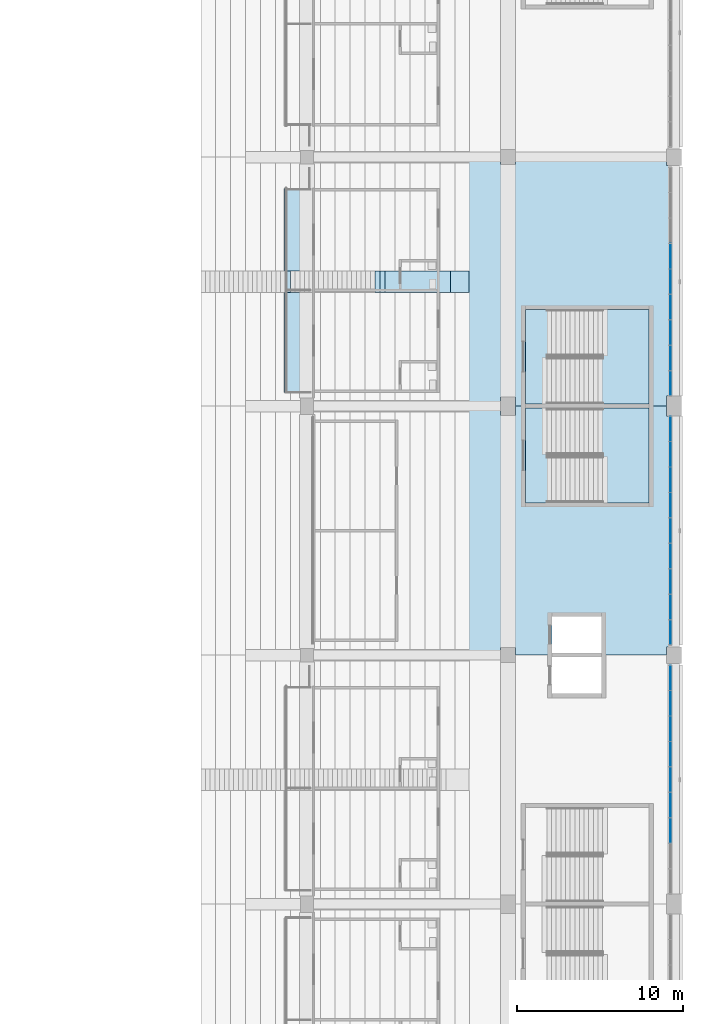
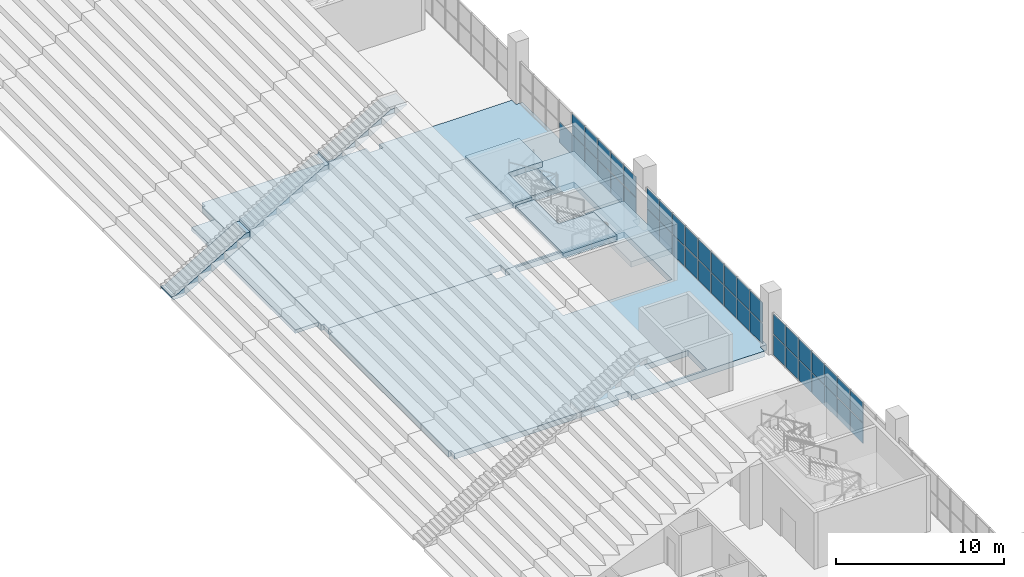
# One storey, part 73 of 249: 43 plates, 10 slabs, 5 elements without a shape of their own.
"""IFC4 building model written with IfcOpenShell, lengths in metres."""

from ifc_helpers import new_model, si_unit, direction, frame, origin, origin_2d, place, context, subcontext, project, spatial, polyline, rectangle, outline, extrude, material, layer, layer_set, type_object, element, aggregate, save


model = new_model("IFC4")

# Units and contexts
model_context = context("Model", 3, precision=1e-05, world=origin(), true_north=direction((0.0, 1.0)))
body_context = subcontext(model_context, "Body", "Model", "MODEL_VIEW")
ifc_project = project(units=[si_unit("LENGTHUNIT", "METRE"), si_unit("AREAUNIT", "SQUARE_METRE"), si_unit("VOLUMEUNIT", "CUBIC_METRE"), si_unit("PLANEANGLEUNIT", "RADIAN"), si_unit("MASSUNIT", "GRAM", prefix="KILO")], contexts=[model_context])

# Site, building, storey
site_placement = place(None, origin())
site = spatial("IfcSite", under=ifc_project, at=site_placement, CompositionType="ELEMENT")
building_placement = place(site_placement, origin())
building = spatial("IfcBuilding", under=site, at=building_placement, Name="Ogive Plaza Stadium", CompositionType="ELEMENT")
storey_placement = place(building_placement, frame((0.0, 0.0, 13.5)))
storey = spatial("IfcBuildingStorey", under=building, at=storey_placement, Name="L03", CompositionType="ELEMENT", Elevation=13.5)

# Slabs
ifc_material_1 = material(Name="Concrete C40/50", Category="concrete")
ifc_layer_1 = layer(ifc_material_1, 0.73486328125)
ifc_layer_set_1 = layer_set([ifc_layer_1], Name="Concrete C40/50")
ifc_layer_2 = layer(ifc_material_1, 0.449951171875)
ifc_layer_set_2 = layer_set([ifc_layer_2], Name="Concrete C40/50")
slab_type_1 = type_object("IfcSlabType", Name="Aisle stair slab 1300", PredefinedType="USERDEFINED", material=ifc_layer_set_2)
slab_1_placement = place(storey_placement, frame((55.5, 15.0, -13.5), z_axis=(0.0, 0.0, 1.0), x_axis=(1.0, 0.0, 0.0)))
element("IfcSlab", 1, at=slab_1_placement, inside=storey, type_object=slab_type_1, material=ifc_layer_set_1, Name="Aisle stair SA03U slab 1", ObjectType="AISLE STAIR SLAB", PredefinedType="USERDEFINED", context=body_context, shape_type="SweptSolid", body=[
    extrude(outline(polyline([(0.0, 14.0), (0.2958984375, 14.0), (5.10009765625, 16.825927734375), (5.39990234375, 16.825927734375), (5.39990234375, 16.300048828125), (5.359375, 16.27734375), (5.209228515625, 16.194091796875), (5.059326171875, 16.110595703125), (4.9091796875, 16.02734375), (4.75927734375, 15.944091796875), (4.609375, 15.860595703125), (4.459228515625, 15.77734375), (4.309326171875, 15.694091796875), (4.1591796875, 15.610595703125), (4.00927734375, 15.52734375), (3.859375, 15.444091796875), (3.709228515625, 15.360595703125), (3.559326171875, 15.27734375), (3.4091796875, 15.194091796875), (3.25927734375, 15.110595703125), (3.109375, 15.02734375), (2.959228515625, 14.944091796875), (2.809326171875, 14.860595703125), (2.6591796875, 14.77734375), (2.50927734375, 14.694091796875), (2.359375, 14.610595703125), (2.209228515625, 14.52734375), (2.059326171875, 14.444091796875), (1.9091796875, 14.360595703125), (1.75927734375, 14.27734375), (1.609375, 14.194091796875), (1.459228515625, 14.110595703125), (1.309326171875, 14.02734375), (1.1591796875, 13.944091796875), (1.00927734375, 13.860595703125), (0.859375, 13.77734375), (0.709228515625, 13.75), (0.559326171875, 13.75), (0.4091796875, 13.75), (0.25927734375, 13.75), (0.109375, 13.75), (0.0, 14.0)])), frame((0.0, 0.64990234375, 0.0), z_axis=(0.0, -1.0, 0.0), x_axis=(1.0, 0.0, 0.0)), (0.0, 0.0, 1.0), 1.300048828125),
])
ifc_layer_3 = layer(ifc_material_1, 0.75927734375)
ifc_layer_set_3 = layer_set([ifc_layer_3], Name="Concrete C40/50")
slab_2_placement = place(storey_placement, frame((60.89990234375, 15.0, -13.5), z_axis=(0.0, 0.0, 1.0), x_axis=(1.0, 0.0, 0.0)))
element("IfcSlab", 2, at=slab_2_placement, inside=storey, type_object=slab_type_1, material=ifc_layer_set_3, Name="Aisle stair SA03U slab 2", ObjectType="AISLE STAIR SLAB", PredefinedType="USERDEFINED", context=body_context, shape_type="SweptSolid", body=[
    extrude(outline(polyline([(0.0, 17.0), (0.2958984375, 17.0), (5.10009765625, 19.825927734375), (5.39990234375, 19.825927734375), (5.39990234375, 19.300048828125), (5.25, 19.216796875), (5.10009765625, 19.13330078125), (4.949951171875, 19.050048828125), (4.800048828125, 18.966796875), (4.64990234375, 18.88330078125), (4.5, 18.800048828125), (4.35009765625, 18.716796875), (4.199951171875, 18.63330078125), (4.050048828125, 18.550048828125), (3.89990234375, 18.466796875), (3.75, 18.38330078125), (3.60009765625, 18.300048828125), (3.449951171875, 18.216796875), (3.300048828125, 18.13330078125), (3.14990234375, 18.050048828125), (3.0, 17.966796875), (2.85009765625, 17.88330078125), (2.699951171875, 17.800048828125), (2.550048828125, 17.716796875), (2.39990234375, 17.63330078125), (2.25, 17.550048828125), (2.10009765625, 17.466796875), (1.949951171875, 17.38330078125), (1.800048828125, 17.300048828125), (1.64990234375, 17.216796875), (1.5, 17.13330078125), (1.35009765625, 17.050048828125), (1.199951171875, 16.966796875), (1.050048828125, 16.88330078125), (0.89990234375, 16.800048828125), (0.75, 16.716796875), (0.60009765625, 16.63330078125), (0.449951171875, 16.550048828125), (0.300048828125, 16.466796875), (0.14990234375, 16.38330078125), (0.0, 16.300048828125), (0.0, 17.0)])), frame((0.0, 0.64990234375, 0.0), z_axis=(0.0, -1.0, 0.0), x_axis=(1.0, 0.0, 0.0)), (0.0, 0.0, 1.0), 1.300048828125),
])
ifc_layer_4 = layer(ifc_material_1, 1.08056640625)
ifc_layer_set_4 = layer_set([ifc_layer_4], Name="Concrete C40/50")
slab_3_placement = place(storey_placement, frame((66.300048828125, 15.0, -13.5), z_axis=(0.0, 0.0, 1.0), x_axis=(1.0, 0.0, 0.0)))
element("IfcSlab", 3, at=slab_3_placement, inside=storey, type_object=slab_type_1, material=ifc_layer_set_4, Name="Aisle stair SA03U slab 3", ObjectType="AISLE STAIR SLAB", PredefinedType="USERDEFINED", context=body_context, shape_type="SweptSolid", body=[
    extrude(outline(polyline([(0.0, 20.0), (0.2958984375, 20.0), (4.25, 22.325927734375), (5.35009765625, 22.325927734375), (5.35009765625, 22.272216796875), (5.25, 22.216796875), (5.10009765625, 22.13330078125), (4.949951171875, 22.050048828125), (4.800048828125, 21.966796875), (4.64990234375, 21.88330078125), (4.5, 21.800048828125), (4.35009765625, 21.716796875), (4.199951171875, 21.63330078125), (4.050048828125, 21.550048828125), (3.89990234375, 21.466796875), (3.75, 21.38330078125), (3.60009765625, 21.300048828125), (3.449951171875, 21.216796875), (3.300048828125, 21.13330078125), (3.14990234375, 21.050048828125), (3.0, 20.966796875), (2.85009765625, 20.88330078125), (2.699951171875, 20.800048828125), (2.550048828125, 20.716796875), (2.39990234375, 20.63330078125), (2.25, 20.550048828125), (2.10009765625, 20.466796875), (1.949951171875, 20.38330078125), (1.800048828125, 20.300048828125), (1.64990234375, 20.216796875), (1.5, 20.13330078125), (1.35009765625, 20.050048828125), (1.199951171875, 19.966796875), (1.050048828125, 19.88330078125), (0.89990234375, 19.800048828125), (0.75, 19.716796875), (0.60009765625, 19.63330078125), (0.449951171875, 19.550048828125), (0.300048828125, 19.466796875), (0.14990234375, 19.38330078125), (0.0, 19.300048828125), (0.0, 20.0)])), frame((0.0, 0.64990234375, 0.0), z_axis=(0.0, -1.0, 0.0), x_axis=(1.0, 0.0, 0.0)), (0.0, 0.0, 1.0), 1.300048828125),
])
ifc_material_2 = material(Name="Concrete C40/50", Category="concrete")
ifc_layer_5 = layer(ifc_material_2, 0.25)
ifc_layer_set_5 = layer_set([ifc_layer_5], Name="Concrete C40/50")
slab_type_2 = type_object("IfcSlabType", Name="Balcony slab 250", PredefinedType="FLOOR", material=ifc_layer_set_5)
slab_4_placement = place(storey_placement, frame((0.0, 0.0, -0.25)))
element("IfcSlab", 4, at=slab_4_placement, inside=storey, type_object=slab_type_2, Name="Suite terrace slab B03", PredefinedType="FLOOR", context=body_context, shape_type="SweptSolid", body=[
    extrude(outline(polyline([(60.5, 8.324951171875), (62.10009765625, 8.324951171875), (62.10009765625, 20.625), (60.5, 20.625), (60.5, 8.324951171875)])), origin(), (0.0, 0.0, 1.0), 0.25),
])

# Curtain wall, plates
ifc_material_3 = material(Name="Bronze-anodised aluminium with laminated glass", Category="aluminium")
curtain_wall_type = type_object("IfcCurtainWallType", Name="Lancet curtain wall", PredefinedType="NOTDEFINED", material=ifc_material_3)
curtain_wall_1_placement = place(storey_placement, origin())
curtain_wall_1 = element("IfcCurtainWall", 5, at=curtain_wall_1_placement, inside=storey, type_object=curtain_wall_type, Name="CURTAIN WALL B03 L03", PredefinedType="NOTDEFINED")
ifc_material_4 = material(Name="Laminated glass", Category="glass")
ifc_layer_6 = layer(ifc_material_4, 0.028076171875)
ifc_layer_set_6 = layer_set([ifc_layer_6], Name="Laminated glass panel 28")
plate_type = type_object("IfcPlateType", Name="Laminated glass panel 28", PredefinedType="CURTAIN_PANEL", material=ifc_layer_set_6)
plate_1_placement = place(storey_placement, frame((83.800048828125, 16.533447265625, 0.0498046875), z_axis=(0.0, 0.0, 1.0), x_axis=(0.0, -1.0, 0.0)))
plate_1 = element("IfcPlate", 6, at=plate_1_placement, type_object=plate_type, Name="CW-B03-L03 panel 4.1", PredefinedType="CURTAIN_PANEL", context=body_context, shape_type="SweptSolid", body=[
    extrude(rectangle(XDim=1.4833984375, YDim=0.028076171875, at=origin_2d()), origin(), (0.0, 0.0, 1.0), 1.469970703125),
])
plate_2_placement = place(storey_placement, frame((83.800048828125, 15.0, 0.0498046875), z_axis=(0.0, 0.0, 1.0), x_axis=(0.0, -1.0, 0.0)))
plate_2 = element("IfcPlate", 7, at=plate_2_placement, type_object=plate_type, Name="CW-B03-L03 panel 5.1", PredefinedType="CURTAIN_PANEL", context=body_context, shape_type="SweptSolid", body=[
    extrude(rectangle(XDim=1.4833984375, YDim=0.028076171875, at=origin_2d()), origin(), (0.0, 0.0, 1.0), 1.469970703125),
])
plate_3_placement = place(storey_placement, frame((83.800048828125, 15.0, 1.56982421875), z_axis=(0.0, 0.0, 1.0), x_axis=(0.0, -1.0, 0.0)))
plate_3 = element("IfcPlate", 8, at=plate_3_placement, type_object=plate_type, Name="CW-B03-L03 panel 5.2", PredefinedType="CURTAIN_PANEL", context=body_context, shape_type="SweptSolid", body=[
    extrude(rectangle(XDim=1.4833984375, YDim=0.028076171875, at=origin_2d()), origin(), (0.0, 0.0, 1.0), 1.469970703125),
])
plate_4_placement = place(storey_placement, frame((83.800048828125, 13.466552734375, 0.0498046875), z_axis=(0.0, 0.0, 1.0), x_axis=(0.0, -1.0, 0.0)))
plate_4 = element("IfcPlate", 9, at=plate_4_placement, type_object=plate_type, Name="CW-B03-L03 panel 6.1", PredefinedType="CURTAIN_PANEL", context=body_context, shape_type="SweptSolid", body=[
    extrude(rectangle(XDim=1.4833984375, YDim=0.028076171875, at=origin_2d()), origin(), (0.0, 0.0, 1.0), 1.469970703125),
])
plate_5_placement = place(storey_placement, frame((83.800048828125, 13.466552734375, 1.56982421875), z_axis=(0.0, 0.0, 1.0), x_axis=(0.0, -1.0, 0.0)))
plate_5 = element("IfcPlate", 10, at=plate_5_placement, type_object=plate_type, Name="CW-B03-L03 panel 6.2", PredefinedType="CURTAIN_PANEL", context=body_context, shape_type="SweptSolid", body=[
    extrude(rectangle(XDim=1.4833984375, YDim=0.028076171875, at=origin_2d()), origin(), (0.0, 0.0, 1.0), 1.469970703125),
])
plate_6_placement = place(storey_placement, frame((83.800048828125, 11.933349609375, 0.0498046875), z_axis=(0.0, 0.0, 1.0), x_axis=(0.0, -1.0, 0.0)))
plate_6 = element("IfcPlate", 11, at=plate_6_placement, type_object=plate_type, Name="CW-B03-L03 panel 7.1", PredefinedType="CURTAIN_PANEL", context=body_context, shape_type="SweptSolid", body=[
    extrude(rectangle(XDim=1.4833984375, YDim=0.028076171875, at=origin_2d()), origin(), (0.0, 0.0, 1.0), 1.469970703125),
])
plate_7_placement = place(storey_placement, frame((83.800048828125, 11.933349609375, 1.56982421875), z_axis=(0.0, 0.0, 1.0), x_axis=(0.0, -1.0, 0.0)))
plate_7 = element("IfcPlate", 12, at=plate_7_placement, type_object=plate_type, Name="CW-B03-L03 panel 7.2", PredefinedType="CURTAIN_PANEL", context=body_context, shape_type="SweptSolid", body=[
    extrude(rectangle(XDim=1.4833984375, YDim=0.028076171875, at=origin_2d()), origin(), (0.0, 0.0, 1.0), 1.469970703125),
])
plate_8_placement = place(storey_placement, frame((83.800048828125, 10.39990234375, 0.0498046875), z_axis=(0.0, 0.0, 1.0), x_axis=(0.0, -1.0, 0.0)))
plate_8 = element("IfcPlate", 13, at=plate_8_placement, type_object=plate_type, Name="CW-B03-L03 panel 8.1", PredefinedType="CURTAIN_PANEL", context=body_context, shape_type="SweptSolid", body=[
    extrude(rectangle(XDim=1.4833984375, YDim=0.028076171875, at=origin_2d()), origin(), (0.0, 0.0, 1.0), 1.469970703125),
])
plate_9_placement = place(storey_placement, frame((83.800048828125, 10.39990234375, 1.56982421875), z_axis=(0.0, 0.0, 1.0), x_axis=(0.0, -1.0, 0.0)))
plate_9 = element("IfcPlate", 14, at=plate_9_placement, type_object=plate_type, Name="CW-B03-L03 panel 8.2", PredefinedType="CURTAIN_PANEL", context=body_context, shape_type="SweptSolid", body=[
    extrude(rectangle(XDim=1.4833984375, YDim=0.028076171875, at=origin_2d()), origin(), (0.0, 0.0, 1.0), 1.469970703125),
])
plate_10_placement = place(storey_placement, frame((83.800048828125, 8.879150390625, 0.0498046875), z_axis=(0.0, 0.0, 1.0), x_axis=(0.0, -1.0, 0.0)))
plate_10 = element("IfcPlate", 15, at=plate_10_placement, type_object=plate_type, Name="CW-B03-L03 panel 9.1", PredefinedType="CURTAIN_PANEL", context=body_context, shape_type="SweptSolid", body=[
    extrude(rectangle(XDim=1.458251953125, YDim=0.028076171875, at=origin_2d()), origin(), (0.0, 0.0, 1.0), 1.469970703125),
])
plate_11_placement = place(storey_placement, frame((83.800048828125, 8.879150390625, 1.56982421875), z_axis=(0.0, 0.0, 1.0), x_axis=(0.0, -1.0, 0.0)))
plate_11 = element("IfcPlate", 16, at=plate_11_placement, type_object=plate_type, Name="CW-B03-L03 panel 9.2", PredefinedType="CURTAIN_PANEL", context=body_context, shape_type="SweptSolid", body=[
    extrude(rectangle(XDim=1.458251953125, YDim=0.028076171875, at=origin_2d()), origin(), (0.0, 0.0, 1.0), 1.469970703125),
])
aggregate(curtain_wall_1, [plate_1, plate_2, plate_3, plate_4, plate_5, plate_6, plate_7, plate_8, plate_9, plate_10, plate_11])

curtain_wall_2_placement = place(storey_placement, origin())
curtain_wall_2 = element("IfcCurtainWall", 17, at=curtain_wall_2_placement, inside=storey, type_object=curtain_wall_type, Name="CURTAIN WALL B04 L03", PredefinedType="NOTDEFINED")
plate_12_placement = place(storey_placement, frame((83.800048828125, 6.120849609375, 0.0498046875), z_axis=(0.0, 0.0, 1.0), x_axis=(0.0, -1.0, 0.0)))
plate_12 = element("IfcPlate", 18, at=plate_12_placement, type_object=plate_type, Name="CW-B04-L03 panel 1.1", PredefinedType="CURTAIN_PANEL", context=body_context, shape_type="SweptSolid", body=[
    extrude(rectangle(XDim=1.458251953125, YDim=0.028076171875, at=origin_2d()), origin(), (0.0, 0.0, 1.0), 1.469970703125),
])
plate_13_placement = place(storey_placement, frame((83.800048828125, 6.120849609375, 1.56982421875), z_axis=(0.0, 0.0, 1.0), x_axis=(0.0, -1.0, 0.0)))
plate_13 = element("IfcPlate", 19, at=plate_13_placement, type_object=plate_type, Name="CW-B04-L03 panel 1.2", PredefinedType="CURTAIN_PANEL", context=body_context, shape_type="SweptSolid", body=[
    extrude(rectangle(XDim=1.458251953125, YDim=0.028076171875, at=origin_2d()), origin(), (0.0, 0.0, 1.0), 1.469970703125),
])
plate_14_placement = place(storey_placement, frame((83.800048828125, 4.60009765625, 0.0498046875), z_axis=(0.0, 0.0, 1.0), x_axis=(0.0, -1.0, 0.0)))
plate_14 = element("IfcPlate", 20, at=plate_14_placement, type_object=plate_type, Name="CW-B04-L03 panel 2.1", PredefinedType="CURTAIN_PANEL", context=body_context, shape_type="SweptSolid", body=[
    extrude(rectangle(XDim=1.4833984375, YDim=0.028076171875, at=origin_2d()), origin(), (0.0, 0.0, 1.0), 1.469970703125),
])
plate_15_placement = place(storey_placement, frame((83.800048828125, 4.60009765625, 1.56982421875), z_axis=(0.0, 0.0, 1.0), x_axis=(0.0, -1.0, 0.0)))
plate_15 = element("IfcPlate", 21, at=plate_15_placement, type_object=plate_type, Name="CW-B04-L03 panel 2.2", PredefinedType="CURTAIN_PANEL", context=body_context, shape_type="SweptSolid", body=[
    extrude(rectangle(XDim=1.4833984375, YDim=0.028076171875, at=origin_2d()), origin(), (0.0, 0.0, 1.0), 1.469970703125),
])
plate_16_placement = place(storey_placement, frame((83.800048828125, 3.066650390625, 0.0498046875), z_axis=(0.0, 0.0, 1.0), x_axis=(0.0, -1.0, 0.0)))
plate_16 = element("IfcPlate", 22, at=plate_16_placement, type_object=plate_type, Name="CW-B04-L03 panel 3.1", PredefinedType="CURTAIN_PANEL", context=body_context, shape_type="SweptSolid", body=[
    extrude(rectangle(XDim=1.4833984375, YDim=0.028076171875, at=origin_2d()), origin(), (0.0, 0.0, 1.0), 1.469970703125),
])
plate_17_placement = place(storey_placement, frame((83.800048828125, 3.066650390625, 1.56982421875), z_axis=(0.0, 0.0, 1.0), x_axis=(0.0, -1.0, 0.0)))
plate_17 = element("IfcPlate", 23, at=plate_17_placement, type_object=plate_type, Name="CW-B04-L03 panel 3.2", PredefinedType="CURTAIN_PANEL", context=body_context, shape_type="SweptSolid", body=[
    extrude(rectangle(XDim=1.4833984375, YDim=0.028076171875, at=origin_2d()), origin(), (0.0, 0.0, 1.0), 1.469970703125),
])
plate_18_placement = place(storey_placement, frame((83.800048828125, 1.533447265625, 0.0498046875), z_axis=(0.0, 0.0, 1.0), x_axis=(0.0, -1.0, 0.0)))
plate_18 = element("IfcPlate", 24, at=plate_18_placement, type_object=plate_type, Name="CW-B04-L03 panel 4.1", PredefinedType="CURTAIN_PANEL", context=body_context, shape_type="SweptSolid", body=[
    extrude(rectangle(XDim=1.4833984375, YDim=0.028076171875, at=origin_2d()), origin(), (0.0, 0.0, 1.0), 1.469970703125),
])
plate_19_placement = place(storey_placement, frame((83.800048828125, 1.533447265625, 1.56982421875), z_axis=(0.0, 0.0, 1.0), x_axis=(0.0, -1.0, 0.0)))
plate_19 = element("IfcPlate", 25, at=plate_19_placement, type_object=plate_type, Name="CW-B04-L03 panel 4.2", PredefinedType="CURTAIN_PANEL", context=body_context, shape_type="SweptSolid", body=[
    extrude(rectangle(XDim=1.4833984375, YDim=0.028076171875, at=origin_2d()), origin(), (0.0, 0.0, 1.0), 1.469970703125),
])
plate_20_placement = place(storey_placement, frame((83.800048828125, 0.0, 0.0498046875), z_axis=(0.0, 0.0, 1.0), x_axis=(0.0, -1.0, 0.0)))
plate_20 = element("IfcPlate", 26, at=plate_20_placement, type_object=plate_type, Name="CW-B04-L03 panel 5.1", PredefinedType="CURTAIN_PANEL", context=body_context, shape_type="SweptSolid", body=[
    extrude(rectangle(XDim=1.4833984375, YDim=0.028076171875, at=origin_2d()), origin(), (0.0, 0.0, 1.0), 1.469970703125),
])
plate_21_placement = place(storey_placement, frame((83.800048828125, 0.0, 1.56982421875), z_axis=(0.0, 0.0, 1.0), x_axis=(0.0, -1.0, 0.0)))
plate_21 = element("IfcPlate", 27, at=plate_21_placement, type_object=plate_type, Name="CW-B04-L03 panel 5.2", PredefinedType="CURTAIN_PANEL", context=body_context, shape_type="SweptSolid", body=[
    extrude(rectangle(XDim=1.4833984375, YDim=0.028076171875, at=origin_2d()), origin(), (0.0, 0.0, 1.0), 1.469970703125),
])
plate_22_placement = place(storey_placement, frame((83.800048828125, -1.533447265625, 0.0498046875), z_axis=(0.0, 0.0, 1.0), x_axis=(0.0, -1.0, 0.0)))
plate_22 = element("IfcPlate", 28, at=plate_22_placement, type_object=plate_type, Name="CW-B04-L03 panel 6.1", PredefinedType="CURTAIN_PANEL", context=body_context, shape_type="SweptSolid", body=[
    extrude(rectangle(XDim=1.4833984375, YDim=0.028076171875, at=origin_2d()), origin(), (0.0, 0.0, 1.0), 1.469970703125),
])
plate_23_placement = place(storey_placement, frame((83.800048828125, -1.533447265625, 1.56982421875), z_axis=(0.0, 0.0, 1.0), x_axis=(0.0, -1.0, 0.0)))
plate_23 = element("IfcPlate", 29, at=plate_23_placement, type_object=plate_type, Name="CW-B04-L03 panel 6.2", PredefinedType="CURTAIN_PANEL", context=body_context, shape_type="SweptSolid", body=[
    extrude(rectangle(XDim=1.4833984375, YDim=0.028076171875, at=origin_2d()), origin(), (0.0, 0.0, 1.0), 1.469970703125),
])
plate_24_placement = place(storey_placement, frame((83.800048828125, -3.066650390625, 0.0498046875), z_axis=(0.0, 0.0, 1.0), x_axis=(0.0, -1.0, 0.0)))
plate_24 = element("IfcPlate", 30, at=plate_24_placement, type_object=plate_type, Name="CW-B04-L03 panel 7.1", PredefinedType="CURTAIN_PANEL", context=body_context, shape_type="SweptSolid", body=[
    extrude(rectangle(XDim=1.4833984375, YDim=0.028076171875, at=origin_2d()), origin(), (0.0, 0.0, 1.0), 1.469970703125),
])
plate_25_placement = place(storey_placement, frame((83.800048828125, -3.066650390625, 1.56982421875), z_axis=(0.0, 0.0, 1.0), x_axis=(0.0, -1.0, 0.0)))
plate_25 = element("IfcPlate", 31, at=plate_25_placement, type_object=plate_type, Name="CW-B04-L03 panel 7.2", PredefinedType="CURTAIN_PANEL", context=body_context, shape_type="SweptSolid", body=[
    extrude(rectangle(XDim=1.4833984375, YDim=0.028076171875, at=origin_2d()), origin(), (0.0, 0.0, 1.0), 1.469970703125),
])
plate_26_placement = place(storey_placement, frame((83.800048828125, -4.60009765625, 0.0498046875), z_axis=(0.0, 0.0, 1.0), x_axis=(0.0, -1.0, 0.0)))
plate_26 = element("IfcPlate", 32, at=plate_26_placement, type_object=plate_type, Name="CW-B04-L03 panel 8.1", PredefinedType="CURTAIN_PANEL", context=body_context, shape_type="SweptSolid", body=[
    extrude(rectangle(XDim=1.4833984375, YDim=0.028076171875, at=origin_2d()), origin(), (0.0, 0.0, 1.0), 1.469970703125),
])
plate_27_placement = place(storey_placement, frame((83.800048828125, -4.60009765625, 1.56982421875), z_axis=(0.0, 0.0, 1.0), x_axis=(0.0, -1.0, 0.0)))
plate_27 = element("IfcPlate", 33, at=plate_27_placement, type_object=plate_type, Name="CW-B04-L03 panel 8.2", PredefinedType="CURTAIN_PANEL", context=body_context, shape_type="SweptSolid", body=[
    extrude(rectangle(XDim=1.4833984375, YDim=0.028076171875, at=origin_2d()), origin(), (0.0, 0.0, 1.0), 1.469970703125),
])
plate_28_placement = place(storey_placement, frame((83.800048828125, -6.120849609375, 0.0498046875), z_axis=(0.0, 0.0, 1.0), x_axis=(0.0, -1.0, 0.0)))
plate_28 = element("IfcPlate", 34, at=plate_28_placement, type_object=plate_type, Name="CW-B04-L03 panel 9.1", PredefinedType="CURTAIN_PANEL", context=body_context, shape_type="SweptSolid", body=[
    extrude(rectangle(XDim=1.458251953125, YDim=0.028076171875, at=origin_2d()), origin(), (0.0, 0.0, 1.0), 1.469970703125),
])
plate_29_placement = place(storey_placement, frame((83.800048828125, -6.120849609375, 1.56982421875), z_axis=(0.0, 0.0, 1.0), x_axis=(0.0, -1.0, 0.0)))
plate_29 = element("IfcPlate", 35, at=plate_29_placement, type_object=plate_type, Name="CW-B04-L03 panel 9.2", PredefinedType="CURTAIN_PANEL", context=body_context, shape_type="SweptSolid", body=[
    extrude(rectangle(XDim=1.458251953125, YDim=0.028076171875, at=origin_2d()), origin(), (0.0, 0.0, 1.0), 1.469970703125),
])
aggregate(curtain_wall_2, [plate_12, plate_13, plate_14, plate_15, plate_16, plate_17, plate_18, plate_19, plate_20, plate_21, plate_22, plate_23, plate_24, plate_25, plate_26, plate_27, plate_28, plate_29])

curtain_wall_3_placement = place(storey_placement, origin())
curtain_wall_3 = element("IfcCurtainWall", 36, at=curtain_wall_3_placement, inside=storey, type_object=curtain_wall_type, Name="CURTAIN WALL B05 L03", PredefinedType="NOTDEFINED")
plate_30_placement = place(storey_placement, frame((83.800048828125, -8.879150390625, 0.0498046875), z_axis=(0.0, 0.0, 1.0), x_axis=(0.0, -1.0, 0.0)))
plate_30 = element("IfcPlate", 37, at=plate_30_placement, type_object=plate_type, Name="CW-B05-L03 panel 1.1", PredefinedType="CURTAIN_PANEL", context=body_context, shape_type="SweptSolid", body=[
    extrude(rectangle(XDim=1.458251953125, YDim=0.028076171875, at=origin_2d()), origin(), (0.0, 0.0, 1.0), 1.469970703125),
])
plate_31_placement = place(storey_placement, frame((83.800048828125, -8.879150390625, 1.56982421875), z_axis=(0.0, 0.0, 1.0), x_axis=(0.0, -1.0, 0.0)))
plate_31 = element("IfcPlate", 38, at=plate_31_placement, type_object=plate_type, Name="CW-B05-L03 panel 1.2", PredefinedType="CURTAIN_PANEL", context=body_context, shape_type="SweptSolid", body=[
    extrude(rectangle(XDim=1.458251953125, YDim=0.028076171875, at=origin_2d()), origin(), (0.0, 0.0, 1.0), 1.469970703125),
])
plate_32_placement = place(storey_placement, frame((83.800048828125, -10.39990234375, 0.0498046875), z_axis=(0.0, 0.0, 1.0), x_axis=(0.0, -1.0, 0.0)))
plate_32 = element("IfcPlate", 39, at=plate_32_placement, type_object=plate_type, Name="CW-B05-L03 panel 2.1", PredefinedType="CURTAIN_PANEL", context=body_context, shape_type="SweptSolid", body=[
    extrude(rectangle(XDim=1.4833984375, YDim=0.028076171875, at=origin_2d()), origin(), (0.0, 0.0, 1.0), 1.469970703125),
])
plate_33_placement = place(storey_placement, frame((83.800048828125, -10.39990234375, 1.56982421875), z_axis=(0.0, 0.0, 1.0), x_axis=(0.0, -1.0, 0.0)))
plate_33 = element("IfcPlate", 40, at=plate_33_placement, type_object=plate_type, Name="CW-B05-L03 panel 2.2", PredefinedType="CURTAIN_PANEL", context=body_context, shape_type="SweptSolid", body=[
    extrude(rectangle(XDim=1.4833984375, YDim=0.028076171875, at=origin_2d()), origin(), (0.0, 0.0, 1.0), 1.469970703125),
])
plate_34_placement = place(storey_placement, frame((83.800048828125, -11.933349609375, 0.0498046875), z_axis=(0.0, 0.0, 1.0), x_axis=(0.0, -1.0, 0.0)))
plate_34 = element("IfcPlate", 41, at=plate_34_placement, type_object=plate_type, Name="CW-B05-L03 panel 3.1", PredefinedType="CURTAIN_PANEL", context=body_context, shape_type="SweptSolid", body=[
    extrude(rectangle(XDim=1.4833984375, YDim=0.028076171875, at=origin_2d()), origin(), (0.0, 0.0, 1.0), 1.469970703125),
])
plate_35_placement = place(storey_placement, frame((83.800048828125, -11.933349609375, 1.56982421875), z_axis=(0.0, 0.0, 1.0), x_axis=(0.0, -1.0, 0.0)))
plate_35 = element("IfcPlate", 42, at=plate_35_placement, type_object=plate_type, Name="CW-B05-L03 panel 3.2", PredefinedType="CURTAIN_PANEL", context=body_context, shape_type="SweptSolid", body=[
    extrude(rectangle(XDim=1.4833984375, YDim=0.028076171875, at=origin_2d()), origin(), (0.0, 0.0, 1.0), 1.469970703125),
])
plate_36_placement = place(storey_placement, frame((83.800048828125, -13.466552734375, 0.0498046875), z_axis=(0.0, 0.0, 1.0), x_axis=(0.0, -1.0, 0.0)))
plate_36 = element("IfcPlate", 43, at=plate_36_placement, type_object=plate_type, Name="CW-B05-L03 panel 4.1", PredefinedType="CURTAIN_PANEL", context=body_context, shape_type="SweptSolid", body=[
    extrude(rectangle(XDim=1.4833984375, YDim=0.028076171875, at=origin_2d()), origin(), (0.0, 0.0, 1.0), 1.469970703125),
])
plate_37_placement = place(storey_placement, frame((83.800048828125, -13.466552734375, 1.56982421875), z_axis=(0.0, 0.0, 1.0), x_axis=(0.0, -1.0, 0.0)))
plate_37 = element("IfcPlate", 44, at=plate_37_placement, type_object=plate_type, Name="CW-B05-L03 panel 4.2", PredefinedType="CURTAIN_PANEL", context=body_context, shape_type="SweptSolid", body=[
    extrude(rectangle(XDim=1.4833984375, YDim=0.028076171875, at=origin_2d()), origin(), (0.0, 0.0, 1.0), 1.469970703125),
])
plate_38_placement = place(storey_placement, frame((83.800048828125, -15.0, 0.0498046875), z_axis=(0.0, 0.0, 1.0), x_axis=(0.0, -1.0, 0.0)))
plate_38 = element("IfcPlate", 45, at=plate_38_placement, type_object=plate_type, Name="CW-B05-L03 panel 5.1", PredefinedType="CURTAIN_PANEL", context=body_context, shape_type="SweptSolid", body=[
    extrude(rectangle(XDim=1.4833984375, YDim=0.028076171875, at=origin_2d()), origin(), (0.0, 0.0, 1.0), 1.469970703125),
])
plate_39_placement = place(storey_placement, frame((83.800048828125, -15.0, 1.56982421875), z_axis=(0.0, 0.0, 1.0), x_axis=(0.0, -1.0, 0.0)))
plate_39 = element("IfcPlate", 46, at=plate_39_placement, type_object=plate_type, Name="CW-B05-L03 panel 5.2", PredefinedType="CURTAIN_PANEL", context=body_context, shape_type="SweptSolid", body=[
    extrude(rectangle(XDim=1.4833984375, YDim=0.028076171875, at=origin_2d()), origin(), (0.0, 0.0, 1.0), 1.469970703125),
])
plate_40_placement = place(storey_placement, frame((83.800048828125, -16.533447265625, 0.0498046875), z_axis=(0.0, 0.0, 1.0), x_axis=(0.0, -1.0, 0.0)))
plate_40 = element("IfcPlate", 47, at=plate_40_placement, type_object=plate_type, Name="CW-B05-L03 panel 6.1", PredefinedType="CURTAIN_PANEL", context=body_context, shape_type="SweptSolid", body=[
    extrude(rectangle(XDim=1.4833984375, YDim=0.028076171875, at=origin_2d()), origin(), (0.0, 0.0, 1.0), 1.469970703125),
])
plate_41_placement = place(storey_placement, frame((83.800048828125, -16.533447265625, 1.56982421875), z_axis=(0.0, 0.0, 1.0), x_axis=(0.0, -1.0, 0.0)))
plate_41 = element("IfcPlate", 48, at=plate_41_placement, type_object=plate_type, Name="CW-B05-L03 panel 6.2", PredefinedType="CURTAIN_PANEL", context=body_context, shape_type="SweptSolid", body=[
    extrude(rectangle(XDim=1.4833984375, YDim=0.028076171875, at=origin_2d()), origin(), (0.0, 0.0, 1.0), 1.469970703125),
])
plate_42_placement = place(storey_placement, frame((83.800048828125, -18.066650390625, 0.0498046875), z_axis=(0.0, 0.0, 1.0), x_axis=(0.0, -1.0, 0.0)))
plate_42 = element("IfcPlate", 49, at=plate_42_placement, type_object=plate_type, Name="CW-B05-L03 panel 7.1", PredefinedType="CURTAIN_PANEL", context=body_context, shape_type="SweptSolid", body=[
    extrude(rectangle(XDim=1.4833984375, YDim=0.028076171875, at=origin_2d()), origin(), (0.0, 0.0, 1.0), 1.469970703125),
])
plate_43_placement = place(storey_placement, frame((83.800048828125, -18.066650390625, 1.56982421875), z_axis=(0.0, 0.0, 1.0), x_axis=(0.0, -1.0, 0.0)))
plate_43 = element("IfcPlate", 50, at=plate_43_placement, type_object=plate_type, Name="CW-B05-L03 panel 7.2", PredefinedType="CURTAIN_PANEL", context=body_context, shape_type="SweptSolid", body=[
    extrude(rectangle(XDim=1.4833984375, YDim=0.028076171875, at=origin_2d()), origin(), (0.0, 0.0, 1.0), 1.469970703125),
])
aggregate(curtain_wall_3, [plate_30, plate_31, plate_32, plate_33, plate_34, plate_35, plate_36, plate_37, plate_38, plate_39, plate_40, plate_41, plate_42, plate_43])

# Slabs
ifc_material_5 = material(Name="Concrete C40/50", Category="concrete")
ifc_layer_7 = layer(ifc_material_5, 0.409912109375)
ifc_layer_set_7 = layer_set([ifc_layer_7], Name="Concrete C40/50")
slab_type_3 = type_object("IfcSlabType", Name="RC floor slab 410", PredefinedType="FLOOR", material=ifc_layer_set_7)
slab_5_placement = place(storey_placement, frame((0.0, 0.0, -0.409912109375)))
element("IfcSlab", 51, at=slab_5_placement, inside=storey, type_object=slab_type_3, Name="Floor slab L03 B03", PredefinedType="FLOOR", context=body_context, shape_type="SweptSolid", body=[
    extrude(outline(polyline([(73.550048828125, 7.5), (73.550048828125, 8.050048828125), (74.449951171875, 8.050048828125), (74.449951171875, 7.5), (83.550048828125, 7.5), (83.550048828125, 8.10009765625), (84.0, 8.10009765625), (84.0, 22.0), (83.550048828125, 22.0), (83.550048828125, 22.5), (74.449951171875, 22.5), (74.449951171875, 22.050048828125), (73.550048828125, 22.050048828125), (73.550048828125, 22.5), (62.300048828125, 22.5), (62.300048828125, 22.10009765625), (62.10009765625, 22.10009765625), (62.10009765625, 8.0), (62.300048828125, 8.0), (62.300048828125, 7.5), (73.550048828125, 7.5)]), holes=[polyline([(75.050048828125, 13.324951171875), (75.050048828125, 7.625), (82.510009765625, 7.625), (82.510009765625, 13.324951171875), (75.050048828125, 13.324951171875)])]), origin(), (0.0, 0.0, 1.0), 0.409912109375),
])
slab_6_placement = place(storey_placement, frame((0.0, 0.0, -0.409912109375)))
element("IfcSlab", 52, at=slab_6_placement, inside=storey, type_object=slab_type_3, Name="Floor slab L03 B04", PredefinedType="FLOOR", context=body_context, shape_type="SweptSolid", body=[
    extrude(outline(polyline([(73.550048828125, -7.5), (73.550048828125, -7.050048828125), (74.449951171875, -7.050048828125), (74.449951171875, -7.5), (83.550048828125, -7.5), (83.550048828125, -7.0), (84.0, -7.0), (84.0, 6.89990234375), (83.550048828125, 6.89990234375), (83.550048828125, 7.5), (74.449951171875, 7.5), (74.449951171875, 6.949951171875), (73.550048828125, 6.949951171875), (73.550048828125, 7.5), (62.300048828125, 7.5), (62.300048828125, 7.0), (62.10009765625, 7.0), (62.10009765625, -7.10009765625), (62.300048828125, -7.10009765625), (62.300048828125, -7.5), (73.550048828125, -7.5)]), holes=[polyline([(76.64990234375, -5.175048828125), (76.64990234375, -7.375), (79.64990234375, -7.375), (79.64990234375, -5.175048828125), (76.64990234375, -5.175048828125)]), polyline([(75.050048828125, 7.375), (75.050048828125, 1.675048828125), (82.510009765625, 1.675048828125), (82.510009765625, 7.375), (75.050048828125, 7.375)])]), origin(), (0.0, 0.0, 1.0), 0.409912109375),
])

# Stair, slabs
ifc_material_6 = material(Name="Concrete C40/50", Category="concrete")
stair_type = type_object("IfcStairType", Name="Exit stair", PredefinedType="STRAIGHT_RUN_STAIR", material=ifc_material_6)
stair_1_placement = place(storey_placement, origin())
stair_1 = element("IfcStair", 53, at=stair_1_placement, inside=storey, type_object=stair_type, Name="Exit stair ST04A L03 to L04", PredefinedType="STRAIGHT_RUN_STAIR")
ifc_material_7 = material(Name="Concrete C40/50", Category="concrete")
ifc_layer_8 = layer(ifc_material_7, 0.39990234375)
ifc_layer_set_8 = layer_set([ifc_layer_8], Name="Concrete C40/50")
slab_type_4 = type_object("IfcSlabType", Name="Stair landing", PredefinedType="LANDING", material=ifc_layer_set_8)
slab_7_placement = place(storey_placement, frame((0.0, 0.0, 1.85009765625)))
slab_7 = element("IfcSlab", 54, at=slab_7_placement, type_object=slab_type_4, Name="ST04A landing 1", PredefinedType="LANDING", context=body_context, shape_type="SweptSolid", body=[
    extrude(outline(polyline([(82.510009765625, 7.375), (82.510009765625, 1.675048828125), (79.7099609375, 1.675048828125), (79.7099609375, 4.574951171875), (77.31005859375, 4.574951171875), (77.31005859375, 7.375), (79.7099609375, 7.375), (82.510009765625, 7.375)])), origin(), (0.0, 0.0, 1.0), 0.39990234375),
])
slab_8_placement = place(storey_placement, frame((0.0, 0.0, 4.10009765625)))
slab_8 = element("IfcSlab", 55, at=slab_8_placement, type_object=slab_type_4, Name="ST04A landing 2", PredefinedType="LANDING", context=body_context, shape_type="SweptSolid", body=[
    extrude(outline(polyline([(78.75, 4.47509765625), (78.75, 1.675048828125), (76.35009765625, 1.675048828125), (75.050048828125, 1.675048828125), (75.050048828125, 7.375), (76.35009765625, 7.375), (76.35009765625, 4.47509765625), (78.75, 4.47509765625)])), origin(), (0.0, 0.0, 1.0), 0.39990234375),
])
aggregate(stair_1, [slab_7, slab_8])

stair_2_placement = place(storey_placement, origin())
stair_2 = element("IfcStair", 56, at=stair_2_placement, inside=storey, type_object=stair_type, Name="Exit stair ST04B L03 to L04", PredefinedType="STRAIGHT_RUN_STAIR")
slab_9_placement = place(storey_placement, frame((0.0, 0.0, 1.85009765625)))
slab_9 = element("IfcSlab", 57, at=slab_9_placement, type_object=slab_type_4, Name="ST04B landing 1", PredefinedType="LANDING", context=body_context, shape_type="SweptSolid", body=[
    extrude(outline(polyline([(77.31005859375, 7.625), (77.31005859375, 10.425048828125), (79.7099609375, 10.425048828125), (79.7099609375, 13.324951171875), (82.510009765625, 13.324951171875), (82.510009765625, 7.625), (79.7099609375, 7.625), (77.31005859375, 7.625)])), origin(), (0.0, 0.0, 1.0), 0.39990234375),
])
slab_10_placement = place(storey_placement, frame((0.0, 0.0, 4.10009765625)))
slab_10 = element("IfcSlab", 58, at=slab_10_placement, type_object=slab_type_4, Name="ST04B landing 2", PredefinedType="LANDING", context=body_context, shape_type="SweptSolid", body=[
    extrude(outline(polyline([(76.35009765625, 7.625), (75.050048828125, 7.625), (75.050048828125, 13.324951171875), (76.35009765625, 13.324951171875), (78.75, 13.324951171875), (78.75, 10.52490234375), (76.35009765625, 10.52490234375), (76.35009765625, 7.625)])), origin(), (0.0, 0.0, 1.0), 0.39990234375),
])
aggregate(stair_2, [slab_9, slab_10])

save(model, "model.ifc")
